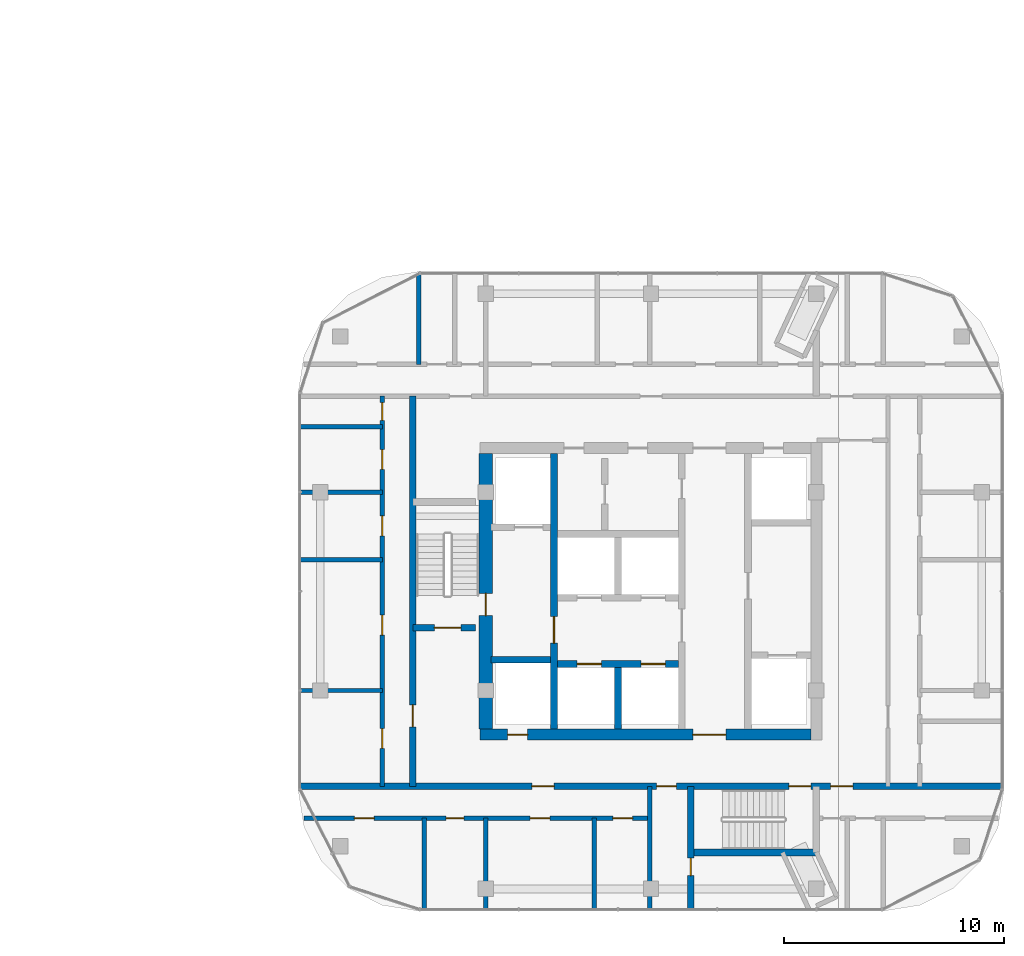
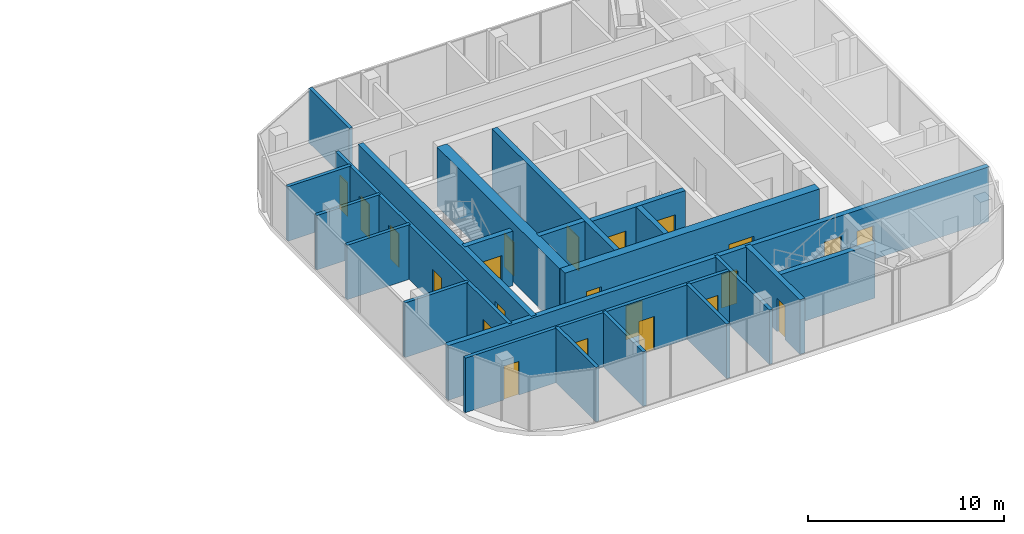
# One storey, part 24 of 35: 22 doors, 22 walls, 22 openings.
"""IFC4 building model written with IfcOpenShell, lengths in metres."""

from ifc_helpers import new_model, si_unit, direction, frame, frame_2d, origin, place, context, subcontext, project, spatial, rectangle, extrude, material, layer, layer_set, type_object, element, fill, save


model = new_model("IFC4")

# Units and contexts
model_context = context("Model", 3, precision=1e-05, world=origin(), true_north=direction((0.0, 1.0)))
body_context = subcontext(model_context, "Body", "Model", "MODEL_VIEW")
ifc_project = project(units=[si_unit("LENGTHUNIT", "METRE"), si_unit("AREAUNIT", "SQUARE_METRE"), si_unit("VOLUMEUNIT", "CUBIC_METRE"), si_unit("PLANEANGLEUNIT", "RADIAN"), si_unit("MASSUNIT", "GRAM", prefix="KILO")], contexts=[model_context])

# Site, building, storey
site_placement = place(None, origin())
site = spatial("IfcSite", under=ifc_project, at=site_placement, CompositionType="ELEMENT")
building_placement = place(site_placement, origin())
building = spatial("IfcBuilding", under=site, at=building_placement, Name="Ogive Portal Towers", CompositionType="ELEMENT")
storey_placement = place(building_placement, frame((0.0, 0.0, 90.800048828125)))
storey = spatial("IfcBuildingStorey", under=building, at=storey_placement, Name="L21", CompositionType="ELEMENT", Elevation=90.800048828125)

# Wall, opening, door
ifc_material_1 = material(Name="Concrete C60/75", Category="concrete")
ifc_layer_1 = layer(ifc_material_1, 0.300048828125)
ifc_layer_set_1 = layer_set([ifc_layer_1], Name="CORE WALL 300 C60")
wall_type_1 = type_object("IfcWallType", Name="CORE WALL 300 C60", PredefinedType="SHEAR", material=ifc_layer_set_1)
wall_1_placement = place(storey_placement, frame((132.10009765625, 24.75, 0.0), z_axis=(0.0, 0.0, 1.0), x_axis=(0.0, 1.0, 0.0)))
wall_1 = element("IfcWall", 1, at=wall_1_placement, inside=storey, type_object=wall_type_1, Name="Tower B core wall BX1 L21", PredefinedType="SHEAR", context=body_context, shape_type="SweptSolid", body=[
    extrude(rectangle(XDim=12.5, YDim=0.300048828125, at=frame_2d((6.25, 0.0))), origin(), (0.0, 0.0, 1.0), 3.699951171875),
])
opening_1_placement = place(wall_1_placement, frame((3.89990234375, 0.0, 0.0)))
opening_1 = element("IfcOpeningElement", 2, at=opening_1_placement, cuts=wall_1, Name="Opening B07-042", PredefinedType="OPENING", context=body_context, shape_type="SweptSolid", body=[
    extrude(rectangle(XDim=1.199951171875, YDim=2.10009765625, at=frame_2d((0.60009765625, 1.050048828125))), frame((0.0, 0.16015625, 0.0), z_axis=(0.0, -1.0, 0.0), x_axis=(1.0, 0.0, 0.0)), (0.0, 0.0, 1.0), 0.320068359375),
])
ifc_material_2 = material(Name="Steel fire door", Category="steel")
door_type_1 = type_object("IfcDoorType", Name="DT-SWING-1200x2100-FD90S", OperationType="SINGLE_SWING_LEFT", PredefinedType="DOOR", material=ifc_material_2)
door_1_placement = place(opening_1_placement, origin())
door_1 = element("IfcDoor", 3, at=door_1_placement, inside=storey, type_object=door_type_1, Name="Door B07-042", OperationType="SINGLE_SWING_LEFT", OverallHeight=2.10009765625, OverallWidth=1.199951171875, PredefinedType="DOOR", context=body_context, shape_type="SweptSolid", body=[
    extrude(rectangle(XDim=1.199951171875, YDim=2.10009765625, at=frame_2d((0.60009765625, 1.050048828125))), frame((0.0, 0.02490234375, 0.0), z_axis=(0.0, -1.0, 0.0), x_axis=(1.0, 0.0, 0.0)), (0.0, 0.0, 1.0), 0.050048828125),
])
fill(opening_1, door_1)

# Wall
wall_2_placement = place(storey_placement, frame((135.0, 24.75, 0.0), z_axis=(0.0, 0.0, 1.0), x_axis=(0.0, 1.0, 0.0)))
element("IfcWall", 4, at=wall_2_placement, inside=storey, type_object=wall_type_1, Name="Tower B core wall BX4 L21", PredefinedType="SHEAR", context=body_context, shape_type="SweptSolid", body=[
    extrude(rectangle(XDim=2.800048828125, YDim=0.300048828125, at=frame_2d((1.39990234375, 0.0))), origin(), (0.0, 0.0, 1.0), 3.699951171875),
])

# Wall, openings, doors
wall_3_placement = place(storey_placement, frame((132.25, 27.699951171875, 0.0), z_axis=(0.0, 0.0, 1.0), x_axis=(1.0, 0.0, 0.0)))
wall_3 = element("IfcWall", 5, at=wall_3_placement, inside=storey, type_object=wall_type_1, Name="Tower B core wall BY1 L21", PredefinedType="SHEAR", context=body_context, shape_type="SweptSolid", body=[
    extrude(rectangle(XDim=5.5, YDim=0.300048828125, at=frame_2d((2.75, 0.0))), origin(), (0.0, 0.0, 1.0), 3.699951171875),
])
opening_2_placement = place(wall_3_placement, frame((0.89990234375, 0.0, 0.0)))
opening_2 = element("IfcOpeningElement", 6, at=opening_2_placement, cuts=wall_3, Name="Opening B07-049", PredefinedType="OPENING", context=body_context, shape_type="SweptSolid", body=[
    extrude(rectangle(XDim=1.10009765625, YDim=2.39990234375, at=frame_2d((0.550048828125, 1.199951171875))), frame((0.0, 0.16015625, 0.0), z_axis=(0.0, -1.0, 0.0), x_axis=(1.0, 0.0, 0.0)), (0.0, 0.0, 1.0), 0.320068359375),
])
opening_3_placement = place(wall_3_placement, frame((3.800048828125, 0.0, 0.0)))
opening_3 = element("IfcOpeningElement", 7, at=opening_3_placement, cuts=wall_3, Name="Opening B07-050", PredefinedType="OPENING", context=body_context, shape_type="SweptSolid", body=[
    extrude(rectangle(XDim=1.10009765625, YDim=2.39990234375, at=frame_2d((0.550048828125, 1.199951171875))), frame((0.0, 0.16015625, 0.0), z_axis=(0.0, -1.0, 0.0), x_axis=(1.0, 0.0, 0.0)), (0.0, 0.0, 1.0), 0.320068359375),
])
ifc_material_3 = material(Name="Stainless steel", Category="steel")
door_type_2 = type_object("IfcDoorType", Name="DT-LD-1100x2400", OperationType="SLIDING_TO_LEFT", PredefinedType="DOOR", material=ifc_material_3)
door_2_placement = place(opening_2_placement, origin())
door_2 = element("IfcDoor", 8, at=door_2_placement, inside=storey, type_object=door_type_2, Name="Door B07-049", OperationType="SLIDING_TO_LEFT", OverallHeight=2.39990234375, OverallWidth=1.10009765625, PredefinedType="DOOR", context=body_context, shape_type="SweptSolid", body=[
    extrude(rectangle(XDim=1.10009765625, YDim=2.39990234375, at=frame_2d((0.550048828125, 1.199951171875))), frame((0.0, 0.02490234375, 0.0), z_axis=(0.0, -1.0, 0.0), x_axis=(1.0, 0.0, 0.0)), (0.0, 0.0, 1.0), 0.050048828125),
])
fill(opening_2, door_2)
door_3_placement = place(opening_3_placement, origin())
door_3 = element("IfcDoor", 9, at=door_3_placement, inside=storey, type_object=door_type_2, Name="Door B07-050", OperationType="SLIDING_TO_LEFT", OverallHeight=2.39990234375, OverallWidth=1.10009765625, PredefinedType="DOOR", context=body_context, shape_type="SweptSolid", body=[
    extrude(rectangle(XDim=1.10009765625, YDim=2.39990234375, at=frame_2d((0.550048828125, 1.199951171875))), frame((0.0, 0.02490234375, 0.0), z_axis=(0.0, -1.0, 0.0), x_axis=(1.0, 0.0, 0.0)), (0.0, 0.0, 1.0), 0.050048828125),
])
fill(opening_3, door_3)

# Wall
wall_4_placement = place(storey_placement, frame((129.25, 27.89990234375, 0.0), z_axis=(0.0, 0.0, 1.0), x_axis=(1.0, 0.0, 0.0)))
element("IfcWall", 10, at=wall_4_placement, inside=storey, type_object=wall_type_1, Name="Tower B core wall BY4 L21", PredefinedType="SHEAR", context=body_context, shape_type="SweptSolid", body=[
    extrude(rectangle(XDim=2.699951171875, YDim=0.300048828125, at=frame_2d((1.35009765625, 0.0))), origin(), (0.0, 0.0, 1.0), 3.699951171875),
])

# Wall, openings, doors
ifc_layer_2 = layer(ifc_material_1, 0.5)
ifc_layer_set_2 = layer_set([ifc_layer_2], Name="CORE WALL 500 C60")
wall_type_2 = type_object("IfcWallType", Name="CORE WALL 500 C60", PredefinedType="SHEAR", material=ifc_layer_set_2)
wall_5_placement = place(storey_placement, frame((128.75, 24.5, 0.0), z_axis=(0.0, 0.0, 1.0), x_axis=(1.0, 0.0, 0.0)))
wall_5 = element("IfcWall", 11, at=wall_5_placement, inside=storey, type_object=wall_type_2, Name="Tower B core wall BS L21", PredefinedType="SHEAR", context=body_context, shape_type="SweptSolid", body=[
    extrude(rectangle(XDim=15.0, YDim=0.5, at=frame_2d((7.5, 0.0))), origin(), (0.0, 0.0, 1.0), 3.699951171875),
])
opening_4_placement = place(wall_5_placement, frame((9.64990234375, 0.0, 0.0)))
opening_4 = element("IfcOpeningElement", 12, at=opening_4_placement, cuts=wall_5, Name="Opening B07-045", PredefinedType="OPENING", context=body_context, shape_type="SweptSolid", body=[
    extrude(rectangle(XDim=1.5, YDim=2.10009765625, at=frame_2d((0.75, 1.050048828125))), frame((0.0, 0.260009765625, 0.0), z_axis=(0.0, -1.0, 0.0), x_axis=(1.0, 0.0, 0.0)), (0.0, 0.0, 1.0), 0.52001953125),
])
opening_5_placement = place(wall_5_placement, frame((1.25, 0.0, 0.0)))
opening_5 = element("IfcOpeningElement", 13, at=opening_5_placement, cuts=wall_5, Name="Opening B07-047", PredefinedType="OPENING", context=body_context, shape_type="SweptSolid", body=[
    extrude(rectangle(XDim=0.89990234375, YDim=2.10009765625, at=frame_2d((0.449951171875, 1.050048828125))), frame((0.0, 0.260009765625, 0.0), z_axis=(0.0, -1.0, 0.0), x_axis=(1.0, 0.0, 0.0)), (0.0, 0.0, 1.0), 0.52001953125),
])
door_type_3 = type_object("IfcDoorType", Name="DT-SWING-1500x2100-FD90S", OperationType="SINGLE_SWING_LEFT", PredefinedType="DOOR", material=ifc_material_2)
door_4_placement = place(opening_4_placement, origin())
door_4 = element("IfcDoor", 14, at=door_4_placement, inside=storey, type_object=door_type_3, Name="Door B07-045", OperationType="SINGLE_SWING_LEFT", OverallHeight=2.10009765625, OverallWidth=1.5, PredefinedType="DOOR", context=body_context, shape_type="SweptSolid", body=[
    extrude(rectangle(XDim=1.5, YDim=2.10009765625, at=frame_2d((0.75, 1.050048828125))), frame((0.0, 0.02490234375, 0.0), z_axis=(0.0, -1.0, 0.0), x_axis=(1.0, 0.0, 0.0)), (0.0, 0.0, 1.0), 0.050048828125),
])
fill(opening_4, door_4)
door_type_4 = type_object("IfcDoorType", Name="DT-SWING-900x2100-FD90S", OperationType="SINGLE_SWING_LEFT", PredefinedType="DOOR", material=ifc_material_2)
door_5_placement = place(opening_5_placement, origin())
door_5 = element("IfcDoor", 15, at=door_5_placement, inside=storey, type_object=door_type_4, Name="Riser access door B07-047", OperationType="SINGLE_SWING_LEFT", OverallHeight=2.10009765625, OverallWidth=0.89990234375, PredefinedType="DOOR", context=body_context, shape_type="SweptSolid", body=[
    extrude(rectangle(XDim=0.89990234375, YDim=2.10009765625, at=frame_2d((0.449951171875, 1.050048828125))), frame((0.0, 0.02490234375, 0.0), z_axis=(0.0, -1.0, 0.0), x_axis=(1.0, 0.0, 0.0)), (0.0, 0.0, 1.0), 0.050048828125),
])
fill(opening_5, door_5)

# Wall, opening, door
ifc_layer_3 = layer(ifc_material_1, 0.60009765625)
ifc_layer_set_3 = layer_set([ifc_layer_3], Name="CORE WALL 600 C60")
wall_type_3 = type_object("IfcWallType", Name="CORE WALL 600 C60", PredefinedType="SHEAR", material=ifc_layer_set_3)
wall_6_placement = place(storey_placement, frame((129.0, 24.75, 0.0), z_axis=(0.0, 0.0, 1.0), x_axis=(0.0, 1.0, 0.0)))
wall_6 = element("IfcWall", 16, at=wall_6_placement, inside=storey, type_object=wall_type_3, Name="Tower B core wall BW L21", PredefinedType="SHEAR", context=body_context, shape_type="SweptSolid", body=[
    extrude(rectangle(XDim=12.5, YDim=0.60009765625, at=frame_2d((6.25, 0.0))), origin(), (0.0, 0.0, 1.0), 3.699951171875),
])
opening_6_placement = place(wall_6_placement, frame((5.14990234375, 0.0, 0.0)))
opening_6 = element("IfcOpeningElement", 17, at=opening_6_placement, cuts=wall_6, Name="Opening B07-044", PredefinedType="OPENING", context=body_context, shape_type="SweptSolid", body=[
    extrude(rectangle(XDim=1.0, YDim=2.10009765625, at=frame_2d((0.5, 1.050048828125))), frame((0.0, 0.31005859375, 0.0), z_axis=(0.0, -1.0, 0.0), x_axis=(1.0, 0.0, 0.0)), (0.0, 0.0, 1.0), 0.6201171875),
])
door_type_5 = type_object("IfcDoorType", Name="DT-SWING-1000x2100-FD90S", OperationType="SINGLE_SWING_LEFT", PredefinedType="DOOR", material=ifc_material_2)
door_6_placement = place(opening_6_placement, origin())
door_6 = element("IfcDoor", 18, at=door_6_placement, inside=storey, type_object=door_type_5, Name="Door B07-044", OperationType="SINGLE_SWING_RIGHT", OverallHeight=2.10009765625, OverallWidth=1.0, PredefinedType="DOOR", context=body_context, shape_type="SweptSolid", body=[
    extrude(rectangle(XDim=1.0, YDim=2.10009765625, at=frame_2d((0.5, 1.050048828125))), frame((0.0, 0.02490234375, 0.0), z_axis=(0.0, -1.0, 0.0), x_axis=(1.0, 0.0, 0.0)), (0.0, 0.0, 1.0), 0.050048828125),
])
fill(opening_6, door_6)

# Wall
ifc_material_4 = material(Name="Concrete C50/60", Category="concrete")
ifc_layer_4 = layer(ifc_material_4, 0.300048828125)
ifc_layer_set_4 = layer_set([ifc_layer_4], Name="STAIR WALL 300 C50")
wall_type_4 = type_object("IfcWallType", Name="STAIR WALL 300 C50", PredefinedType="SHEAR", material=ifc_layer_set_4)
wall_7_placement = place(storey_placement, frame((138.25, 19.14990234375, 0.0), z_axis=(0.0, 0.0, 1.0), x_axis=(1.0, 0.0, 0.0)))
element("IfcWall", 19, at=wall_7_placement, inside=storey, type_object=wall_type_4, Name="Stair wall ST-B2 L21", PredefinedType="SHEAR", context=body_context, shape_type="SweptSolid", body=[
    extrude(rectangle(XDim=5.75, YDim=0.300048828125, at=frame_2d((2.875, 0.0))), origin(), (0.0, 0.0, 1.0), 3.39990234375),
])

# Wall, openings, doors
wall_8_placement = place(storey_placement, frame((120.56005859375, 22.14990234375, 0.0), z_axis=(0.0, 0.0, 1.0), x_axis=(1.0, 0.0, 0.0)))
wall_8 = element("IfcWall", 20, at=wall_8_placement, inside=storey, type_object=wall_type_4, Name="Stair wall ST-B2 L21", PredefinedType="SHEAR", context=body_context, shape_type="SweptSolid", body=[
    extrude(rectangle(XDim=31.8798828125, YDim=0.300048828125, at=frame_2d((15.93994140625, 0.0))), origin(), (0.0, 0.0, 1.0), 3.39990234375),
])
opening_7_placement = place(wall_8_placement, frame((22.18994140625, 0.0, 0.0)))
opening_7 = element("IfcOpeningElement", 21, at=opening_7_placement, cuts=wall_8, Name="Opening B07-003", PredefinedType="OPENING", context=body_context, shape_type="SweptSolid", body=[
    extrude(rectangle(XDim=1.0, YDim=2.10009765625, at=frame_2d((0.5, 1.050048828125))), frame((0.0, 0.16015625, 0.0), z_axis=(0.0, -1.0, 0.0), x_axis=(1.0, 0.0, 0.0)), (0.0, 0.0, 1.0), 0.320068359375),
])
opening_8_placement = place(wall_8_placement, frame((10.5400390625, 0.0, 0.0)))
opening_8 = element("IfcOpeningElement", 22, at=opening_8_placement, cuts=wall_8, Name="Opening B07-018", PredefinedType="OPENING", context=body_context, shape_type="SweptSolid", body=[
    extrude(rectangle(XDim=1.0, YDim=2.10009765625, at=frame_2d((0.5, 1.050048828125))), frame((0.0, 0.16015625, 0.0), z_axis=(0.0, -1.0, 0.0), x_axis=(1.0, 0.0, 0.0)), (0.0, 0.0, 1.0), 0.320068359375),
])
opening_9_placement = place(wall_8_placement, frame((24.090087890625, 0.0, 0.0)))
opening_9 = element("IfcOpeningElement", 23, at=opening_9_placement, cuts=wall_8, Name="Opening B07-023", PredefinedType="OPENING", context=body_context, shape_type="SweptSolid", body=[
    extrude(rectangle(XDim=1.0, YDim=2.10009765625, at=frame_2d((0.5, 1.050048828125))), frame((0.0, 0.16015625, 0.0), z_axis=(0.0, -1.0, 0.0), x_axis=(1.0, 0.0, 0.0)), (0.0, 0.0, 1.0), 0.320068359375),
])
opening_10_placement = place(wall_8_placement, frame((16.18994140625, 0.0, 0.0)))
opening_10 = element("IfcOpeningElement", 24, at=opening_10_placement, cuts=wall_8, Name="Opening B07-027", PredefinedType="OPENING", context=body_context, shape_type="SweptSolid", body=[
    extrude(rectangle(XDim=0.89990234375, YDim=2.10009765625, at=frame_2d((0.449951171875, 1.050048828125))), frame((0.0, 0.16015625, 0.0), z_axis=(0.0, -1.0, 0.0), x_axis=(1.0, 0.0, 0.0)), (0.0, 0.0, 1.0), 0.320068359375),
])
door_7_placement = place(opening_7_placement, origin())
door_7 = element("IfcDoor", 25, at=door_7_placement, inside=storey, type_object=door_type_5, Name="Door B07-003", OperationType="SINGLE_SWING_LEFT", OverallHeight=2.10009765625, OverallWidth=1.0, PredefinedType="DOOR", context=body_context, shape_type="SweptSolid", body=[
    extrude(rectangle(XDim=1.0, YDim=2.10009765625, at=frame_2d((0.5, 1.050048828125))), frame((0.0, 0.02490234375, 0.0), z_axis=(0.0, -1.0, 0.0), x_axis=(1.0, 0.0, 0.0)), (0.0, 0.0, 1.0), 0.050048828125),
])
fill(opening_7, door_7)
door_8_placement = place(opening_8_placement, origin())
door_8 = element("IfcDoor", 26, at=door_8_placement, inside=storey, type_object=door_type_5, Name="Door B07-018", OperationType="SINGLE_SWING_RIGHT", OverallHeight=2.10009765625, OverallWidth=1.0, PredefinedType="DOOR", context=body_context, shape_type="SweptSolid", body=[
    extrude(rectangle(XDim=1.0, YDim=2.10009765625, at=frame_2d((0.5, 1.050048828125))), frame((0.0, 0.02490234375, 0.0), z_axis=(0.0, -1.0, 0.0), x_axis=(1.0, 0.0, 0.0)), (0.0, 0.0, 1.0), 0.050048828125),
])
fill(opening_8, door_8)
door_9_placement = place(opening_9_placement, origin())
door_9 = element("IfcDoor", 27, at=door_9_placement, inside=storey, type_object=door_type_5, Name="Door B07-023", OperationType="SINGLE_SWING_LEFT", OverallHeight=2.10009765625, OverallWidth=1.0, PredefinedType="DOOR", context=body_context, shape_type="SweptSolid", body=[
    extrude(rectangle(XDim=1.0, YDim=2.10009765625, at=frame_2d((0.5, 1.050048828125))), frame((0.0, 0.02490234375, 0.0), z_axis=(0.0, -1.0, 0.0), x_axis=(1.0, 0.0, 0.0)), (0.0, 0.0, 1.0), 0.050048828125),
])
fill(opening_9, door_9)
door_10_placement = place(opening_10_placement, origin())
door_10 = element("IfcDoor", 28, at=door_10_placement, inside=storey, type_object=door_type_4, Name="Door B07-027", OperationType="SINGLE_SWING_LEFT", OverallHeight=2.10009765625, OverallWidth=0.89990234375, PredefinedType="DOOR", context=body_context, shape_type="SweptSolid", body=[
    extrude(rectangle(XDim=0.89990234375, YDim=2.10009765625, at=frame_2d((0.449951171875, 1.050048828125))), frame((0.0, 0.02490234375, 0.0), z_axis=(0.0, -1.0, 0.0), x_axis=(1.0, 0.0, 0.0)), (0.0, 0.0, 1.0), 0.050048828125),
])
fill(opening_10, door_10)

# Wall, opening, door
wall_9_placement = place(storey_placement, frame((125.699951171875, 29.35009765625, 0.0), z_axis=(0.0, 0.0, 1.0), x_axis=(1.0, 0.0, 0.0)))
wall_9 = element("IfcWall", 29, at=wall_9_placement, inside=storey, type_object=wall_type_4, Name="Stair wall ST-B1 L21", PredefinedType="SHEAR", context=body_context, shape_type="SweptSolid", body=[
    extrude(rectangle(XDim=2.830078125, YDim=0.300048828125, at=frame_2d((1.4150390625, 0.0))), origin(), (0.0, 0.0, 1.0), 3.39990234375),
])
opening_11_placement = place(wall_9_placement, frame((0.97509765625, 0.0, 0.0)))
opening_11 = element("IfcOpeningElement", 30, at=opening_11_placement, cuts=wall_9, Name="Opening B07-002", PredefinedType="OPENING", context=body_context, shape_type="SweptSolid", body=[
    extrude(rectangle(XDim=1.199951171875, YDim=2.10009765625, at=frame_2d((0.60009765625, 1.050048828125))), frame((0.0, 0.16015625, 0.0), z_axis=(0.0, -1.0, 0.0), x_axis=(1.0, 0.0, 0.0)), (0.0, 0.0, 1.0), 0.320068359375),
])
door_11_placement = place(opening_11_placement, origin())
door_11 = element("IfcDoor", 31, at=door_11_placement, inside=storey, type_object=door_type_1, Name="Door B07-002", OperationType="SINGLE_SWING_RIGHT", OverallHeight=2.10009765625, OverallWidth=1.199951171875, PredefinedType="DOOR", context=body_context, shape_type="SweptSolid", body=[
    extrude(rectangle(XDim=1.199951171875, YDim=2.10009765625, at=frame_2d((0.60009765625, 1.050048828125))), frame((0.0, 0.02490234375, 0.0), z_axis=(0.0, -1.0, 0.0), x_axis=(1.0, 0.0, 0.0)), (0.0, 0.0, 1.0), 0.050048828125),
])
fill(opening_11, door_11)

wall_10_placement = place(storey_placement, frame((125.699951171875, 22.14990234375, 0.0), z_axis=(0.0, 0.0, 1.0), x_axis=(0.0, 1.0, 0.0)))
wall_10 = element("IfcWall", 32, at=wall_10_placement, inside=storey, type_object=wall_type_4, Name="Stair wall ST-B1 L21", PredefinedType="SHEAR", context=body_context, shape_type="SweptSolid", body=[
    extrude(rectangle(XDim=17.7001953125, YDim=0.300048828125, at=frame_2d((8.85009765625, 0.0))), origin(), (0.0, 0.0, 1.0), 3.39990234375),
])
opening_12_placement = place(wall_10_placement, frame((2.699951171875, 0.0, 0.0)))
opening_12 = element("IfcOpeningElement", 33, at=opening_12_placement, cuts=wall_10, Name="Opening B07-029", PredefinedType="OPENING", context=body_context, shape_type="SweptSolid", body=[
    extrude(rectangle(XDim=1.0, YDim=2.10009765625, at=frame_2d((0.5, 1.050048828125))), frame((0.0, 0.16015625, 0.0), z_axis=(0.0, -1.0, 0.0), x_axis=(1.0, 0.0, 0.0)), (0.0, 0.0, 1.0), 0.320068359375),
])
door_12_placement = place(opening_12_placement, origin())
door_12 = element("IfcDoor", 34, at=door_12_placement, inside=storey, type_object=door_type_5, Name="Door B07-029", OperationType="SINGLE_SWING_LEFT", OverallHeight=2.10009765625, OverallWidth=1.0, PredefinedType="DOOR", context=body_context, shape_type="SweptSolid", body=[
    extrude(rectangle(XDim=1.0, YDim=2.10009765625, at=frame_2d((0.5, 1.050048828125))), frame((0.0, 0.02490234375, 0.0), z_axis=(0.0, -1.0, 0.0), x_axis=(1.0, 0.0, 0.0)), (0.0, 0.0, 1.0), 0.050048828125),
])
fill(opening_12, door_12)

wall_11_placement = place(storey_placement, frame((138.300048828125, 16.56005859375, 0.0), z_axis=(0.0, 0.0, 1.0), x_axis=(0.0, 1.0, 0.0)))
wall_11 = element("IfcWall", 35, at=wall_11_placement, inside=storey, type_object=wall_type_4, Name="Stair wall ST-B2 L21", PredefinedType="SHEAR", context=body_context, shape_type="SweptSolid", body=[
    extrude(rectangle(XDim=5.58984375, YDim=0.300048828125, at=frame_2d((2.794921875, 0.0))), origin(), (0.0, 0.0, 1.0), 3.39990234375),
])
opening_13_placement = place(wall_11_placement, frame((1.5400390625, 0.0, 0.0)))
opening_13 = element("IfcOpeningElement", 36, at=opening_13_placement, cuts=wall_11, Name="Opening B07-028", PredefinedType="OPENING", context=body_context, shape_type="SweptSolid", body=[
    extrude(rectangle(XDim=0.800048828125, YDim=2.10009765625, at=frame_2d((0.39990234375, 1.050048828125))), frame((0.0, 0.16015625, 0.0), z_axis=(0.0, -1.0, 0.0), x_axis=(1.0, 0.0, 0.0)), (0.0, 0.0, 1.0), 0.320068359375),
])
door_type_6 = type_object("IfcDoorType", Name="DT-SWING-800x2100-FD90S", OperationType="SINGLE_SWING_LEFT", PredefinedType="DOOR", material=ifc_material_2)
door_13_placement = place(opening_13_placement, origin())
door_13 = element("IfcDoor", 37, at=door_13_placement, inside=storey, type_object=door_type_6, Name="Door B07-028", OperationType="SINGLE_SWING_RIGHT", OverallHeight=2.10009765625, OverallWidth=0.800048828125, PredefinedType="DOOR", context=body_context, shape_type="SweptSolid", body=[
    extrude(rectangle(XDim=0.800048828125, YDim=2.10009765625, at=frame_2d((0.39990234375, 1.050048828125))), frame((0.0, 0.02490234375, 0.0), z_axis=(0.0, -1.0, 0.0), x_axis=(1.0, 0.0, 0.0)), (0.0, 0.0, 1.0), 0.050048828125),
])
fill(opening_13, door_13)

# Wall, openings, doors
ifc_material_5 = material(Name="Gypsum board partition on steel studs", Category="steel")
ifc_layer_5 = layer(ifc_material_5, 0.199951171875)
ifc_layer_set_5 = layer_set([ifc_layer_5], Name="WT-PART-200-EI 60")
wall_type_5 = type_object("IfcWallType", Name="WT-PART-200-EI 60", PredefinedType="PARTITIONING", material=ifc_layer_set_5)
wall_12_placement = place(storey_placement, frame((120.764892578125, 20.7099609375, 0.0), z_axis=(0.0, 0.0, 1.0), x_axis=(1.0, 0.0, 0.0)))
wall_12 = element("IfcWall", 38, at=wall_12_placement, inside=storey, type_object=wall_type_5, Name="Wall L21:w013", PredefinedType="PARTITIONING", context=body_context, shape_type="SweptSolid", body=[
    extrude(rectangle(XDim=15.735107421875, YDim=0.199951171875, at=frame_2d((7.86767578125, 0.0))), origin(), (0.0, 0.0, 1.0), 3.39990234375),
])
opening_14_placement = place(wall_12_placement, frame((2.27587890625, 0.0, 0.0)))
opening_14 = element("IfcOpeningElement", 39, at=opening_14_placement, cuts=wall_12, Name="Opening B07-019", PredefinedType="OPENING", context=body_context, shape_type="SweptSolid", body=[
    extrude(rectangle(XDim=0.89990234375, YDim=2.10009765625, at=frame_2d((0.449951171875, 1.050048828125))), frame((0.0, 0.10986328125, 0.0), z_axis=(0.0, -1.0, 0.0), x_axis=(1.0, 0.0, 0.0)), (0.0, 0.0, 1.0), 0.219970703125),
])
opening_15_placement = place(wall_12_placement, frame((6.445068359375, 0.0, 0.0)))
opening_15 = element("IfcOpeningElement", 40, at=opening_15_placement, cuts=wall_12, Name="Opening B07-020", PredefinedType="OPENING", context=body_context, shape_type="SweptSolid", body=[
    extrude(rectangle(XDim=0.800048828125, YDim=2.10009765625, at=frame_2d((0.39990234375, 1.050048828125))), frame((0.0, 0.10986328125, 0.0), z_axis=(0.0, -1.0, 0.0), x_axis=(1.0, 0.0, 0.0)), (0.0, 0.0, 1.0), 0.219970703125),
])
opening_16_placement = place(wall_12_placement, frame((10.251953125, 0.0, 0.0)))
opening_16 = element("IfcOpeningElement", 41, at=opening_16_placement, cuts=wall_12, Name="Opening B07-021", PredefinedType="OPENING", context=body_context, shape_type="SweptSolid", body=[
    extrude(rectangle(XDim=0.89990234375, YDim=2.10009765625, at=frame_2d((0.449951171875, 1.050048828125))), frame((0.0, 0.10986328125, 0.0), z_axis=(0.0, -1.0, 0.0), x_axis=(1.0, 0.0, 0.0)), (0.0, 0.0, 1.0), 0.219970703125),
])
opening_17_placement = place(wall_12_placement, frame((14.001953125, 0.0, 0.0)))
opening_17 = element("IfcOpeningElement", 42, at=opening_17_placement, cuts=wall_12, Name="Opening B07-022", PredefinedType="OPENING", context=body_context, shape_type="SweptSolid", body=[
    extrude(rectangle(XDim=0.89990234375, YDim=2.10009765625, at=frame_2d((0.449951171875, 1.050048828125))), frame((0.0, 0.10986328125, 0.0), z_axis=(0.0, -1.0, 0.0), x_axis=(1.0, 0.0, 0.0)), (0.0, 0.0, 1.0), 0.219970703125),
])
door_type_7 = type_object("IfcDoorType", Name="DT-SWING-800x2100-FD60S", OperationType="SINGLE_SWING_LEFT", PredefinedType="DOOR", material=ifc_material_2)
door_14_placement = place(opening_15_placement, origin())
door_14 = element("IfcDoor", 43, at=door_14_placement, inside=storey, type_object=door_type_7, Name="Door B07-020", OperationType="SINGLE_SWING_RIGHT", OverallHeight=2.10009765625, OverallWidth=0.800048828125, PredefinedType="DOOR", context=body_context, shape_type="SweptSolid", body=[
    extrude(rectangle(XDim=0.800048828125, YDim=2.10009765625, at=frame_2d((0.39990234375, 1.050048828125))), frame((0.0, 0.02490234375, 0.0), z_axis=(0.0, -1.0, 0.0), x_axis=(1.0, 0.0, 0.0)), (0.0, 0.0, 1.0), 0.050048828125),
])
fill(opening_15, door_14)
door_type_8 = type_object("IfcDoorType", Name="DT-SWING-900x2100-FD60S", OperationType="SINGLE_SWING_LEFT", PredefinedType="DOOR", material=ifc_material_2)
door_15_placement = place(opening_14_placement, origin())
door_15 = element("IfcDoor", 44, at=door_15_placement, inside=storey, type_object=door_type_8, Name="Door B07-019", OperationType="SINGLE_SWING_LEFT", OverallHeight=2.10009765625, OverallWidth=0.89990234375, PredefinedType="DOOR", context=body_context, shape_type="SweptSolid", body=[
    extrude(rectangle(XDim=0.89990234375, YDim=2.10009765625, at=frame_2d((0.449951171875, 1.050048828125))), frame((0.0, 0.02490234375, 0.0), z_axis=(0.0, -1.0, 0.0), x_axis=(1.0, 0.0, 0.0)), (0.0, 0.0, 1.0), 0.050048828125),
])
fill(opening_14, door_15)
door_16_placement = place(opening_16_placement, origin())
door_16 = element("IfcDoor", 45, at=door_16_placement, inside=storey, type_object=door_type_8, Name="Door B07-021", OperationType="SINGLE_SWING_LEFT", OverallHeight=2.10009765625, OverallWidth=0.89990234375, PredefinedType="DOOR", context=body_context, shape_type="SweptSolid", body=[
    extrude(rectangle(XDim=0.89990234375, YDim=2.10009765625, at=frame_2d((0.449951171875, 1.050048828125))), frame((0.0, 0.02490234375, 0.0), z_axis=(0.0, -1.0, 0.0), x_axis=(1.0, 0.0, 0.0)), (0.0, 0.0, 1.0), 0.050048828125),
])
fill(opening_16, door_16)
door_17_placement = place(opening_17_placement, origin())
door_17 = element("IfcDoor", 46, at=door_17_placement, inside=storey, type_object=door_type_8, Name="Door B07-022", OperationType="SINGLE_SWING_RIGHT", OverallHeight=2.10009765625, OverallWidth=0.89990234375, PredefinedType="DOOR", context=body_context, shape_type="SweptSolid", body=[
    extrude(rectangle(XDim=0.89990234375, YDim=2.10009765625, at=frame_2d((0.449951171875, 1.050048828125))), frame((0.0, 0.02490234375, 0.0), z_axis=(0.0, -1.0, 0.0), x_axis=(1.0, 0.0, 0.0)), (0.0, 0.0, 1.0), 0.050048828125),
])
fill(opening_17, door_17)

# Walls
for number, where, z_axis, x_axis, name in (
    (47, (120.56005859375, 26.5, 0.0), (0.0, 0.0, 1.0), (1.0, 0.0, 0.0), "Wall L21:w019"),
    (48, (120.56005859375, 32.43310546875, 0.0), (0.0, 0.0, 1.0), (1.0, 0.0, 0.0), "Wall L21:w022"),
    (49, (120.56005859375, 35.5, 0.0), (0.0, 0.0, 1.0), (1.0, 0.0, 0.0), "Wall L21:w025"),
    (50, (120.56005859375, 38.4560546875, 0.0), (0.0, 0.0, 1.0), (1.0, 0.0, 0.0), "Wall L21:w029"),
):
    element("IfcWall", number, at=place(storey_placement, frame(where, z_axis=z_axis, x_axis=x_axis)), inside=storey, type_object=wall_type_5, Name=name, PredefinedType="PARTITIONING", context=body_context, shape_type="SweptSolid", body=[
        extrude(rectangle(XDim=3.75, YDim=0.199951171875, at=frame_2d((1.875, 0.0))), origin(), (0.0, 0.0, 1.0), 3.39990234375),
    ])

# Wall, openings, doors
wall_13_placement = place(storey_placement, frame((124.31005859375, 22.14990234375, 0.0), z_axis=(0.0, 0.0, 1.0), x_axis=(0.0, 1.0, 0.0)))
wall_13 = element("IfcWall", 51, at=wall_13_placement, inside=storey, type_object=wall_type_5, Name="Wall L21:w032", PredefinedType="PARTITIONING", context=body_context, shape_type="SweptSolid", body=[
    extrude(rectangle(XDim=17.7001953125, YDim=0.199951171875, at=frame_2d((8.85009765625, 0.0))), origin(), (0.0, 0.0, 1.0), 3.39990234375),
])
opening_18_placement = place(wall_13_placement, frame((1.72509765625, 0.0, 0.0)))
opening_18 = element("IfcOpeningElement", 52, at=opening_18_placement, cuts=wall_13, Name="Opening B07-030", PredefinedType="OPENING", context=body_context, shape_type="SweptSolid", body=[
    extrude(rectangle(XDim=0.89990234375, YDim=2.10009765625, at=frame_2d((0.449951171875, 1.050048828125))), frame((0.0, 0.10986328125, 0.0), z_axis=(0.0, -1.0, 0.0), x_axis=(1.0, 0.0, 0.0)), (0.0, 0.0, 1.0), 0.219970703125),
])
opening_19_placement = place(wall_13_placement, frame((6.866943359375, 0.0, 0.0)))
opening_19 = element("IfcOpeningElement", 53, at=opening_19_placement, cuts=wall_13, Name="Opening B07-031", PredefinedType="OPENING", context=body_context, shape_type="SweptSolid", body=[
    extrude(rectangle(XDim=0.89990234375, YDim=2.10009765625, at=frame_2d((0.449951171875, 1.050048828125))), frame((0.0, 0.10986328125, 0.0), z_axis=(0.0, -1.0, 0.0), x_axis=(1.0, 0.0, 0.0)), (0.0, 0.0, 1.0), 0.219970703125),
])
opening_20_placement = place(wall_13_placement, frame((11.366943359375, 0.0, 0.0)))
opening_20 = element("IfcOpeningElement", 54, at=opening_20_placement, cuts=wall_13, Name="Opening B07-032", PredefinedType="OPENING", context=body_context, shape_type="SweptSolid", body=[
    extrude(rectangle(XDim=0.89990234375, YDim=2.10009765625, at=frame_2d((0.449951171875, 1.050048828125))), frame((0.0, 0.10986328125, 0.0), z_axis=(0.0, -1.0, 0.0), x_axis=(1.0, 0.0, 0.0)), (0.0, 0.0, 1.0), 0.219970703125),
])
opening_21_placement = place(wall_13_placement, frame((14.3779296875, 0.0, 0.0)))
opening_21 = element("IfcOpeningElement", 55, at=opening_21_placement, cuts=wall_13, Name="Opening B07-033", PredefinedType="OPENING", context=body_context, shape_type="SweptSolid", body=[
    extrude(rectangle(XDim=0.89990234375, YDim=2.10009765625, at=frame_2d((0.449951171875, 1.050048828125))), frame((0.0, 0.10986328125, 0.0), z_axis=(0.0, -1.0, 0.0), x_axis=(1.0, 0.0, 0.0)), (0.0, 0.0, 1.0), 0.219970703125),
])
opening_22_placement = place(wall_13_placement, frame((16.60302734375, 0.0, 0.0)))
opening_22 = element("IfcOpeningElement", 56, at=opening_22_placement, cuts=wall_13, Name="Opening B07-034", PredefinedType="OPENING", context=body_context, shape_type="SweptSolid", body=[
    extrude(rectangle(XDim=0.800048828125, YDim=2.10009765625, at=frame_2d((0.39990234375, 1.050048828125))), frame((0.0, 0.10986328125, 0.0), z_axis=(0.0, -1.0, 0.0), x_axis=(1.0, 0.0, 0.0)), (0.0, 0.0, 1.0), 0.219970703125),
])
door_18_placement = place(opening_22_placement, origin())
door_18 = element("IfcDoor", 57, at=door_18_placement, inside=storey, type_object=door_type_7, Name="Door B07-034", OperationType="SINGLE_SWING_RIGHT", OverallHeight=2.10009765625, OverallWidth=0.800048828125, PredefinedType="DOOR", context=body_context, shape_type="SweptSolid", body=[
    extrude(rectangle(XDim=0.800048828125, YDim=2.10009765625, at=frame_2d((0.39990234375, 1.050048828125))), frame((0.0, 0.02490234375, 0.0), z_axis=(0.0, -1.0, 0.0), x_axis=(1.0, 0.0, 0.0)), (0.0, 0.0, 1.0), 0.050048828125),
])
fill(opening_22, door_18)
door_19_placement = place(opening_18_placement, origin())
door_19 = element("IfcDoor", 58, at=door_19_placement, inside=storey, type_object=door_type_8, Name="Door B07-030", OperationType="SINGLE_SWING_RIGHT", OverallHeight=2.10009765625, OverallWidth=0.89990234375, PredefinedType="DOOR", context=body_context, shape_type="SweptSolid", body=[
    extrude(rectangle(XDim=0.89990234375, YDim=2.10009765625, at=frame_2d((0.449951171875, 1.050048828125))), frame((0.0, 0.02490234375, 0.0), z_axis=(0.0, -1.0, 0.0), x_axis=(1.0, 0.0, 0.0)), (0.0, 0.0, 1.0), 0.050048828125),
])
fill(opening_18, door_19)
door_20_placement = place(opening_19_placement, origin())
door_20 = element("IfcDoor", 59, at=door_20_placement, inside=storey, type_object=door_type_8, Name="Door B07-031", OperationType="SINGLE_SWING_LEFT", OverallHeight=2.10009765625, OverallWidth=0.89990234375, PredefinedType="DOOR", context=body_context, shape_type="SweptSolid", body=[
    extrude(rectangle(XDim=0.89990234375, YDim=2.10009765625, at=frame_2d((0.449951171875, 1.050048828125))), frame((0.0, 0.02490234375, 0.0), z_axis=(0.0, -1.0, 0.0), x_axis=(1.0, 0.0, 0.0)), (0.0, 0.0, 1.0), 0.050048828125),
])
fill(opening_19, door_20)
door_21_placement = place(opening_20_placement, origin())
door_21 = element("IfcDoor", 60, at=door_21_placement, inside=storey, type_object=door_type_8, Name="Door B07-032", OperationType="SINGLE_SWING_RIGHT", OverallHeight=2.10009765625, OverallWidth=0.89990234375, PredefinedType="DOOR", context=body_context, shape_type="SweptSolid", body=[
    extrude(rectangle(XDim=0.89990234375, YDim=2.10009765625, at=frame_2d((0.449951171875, 1.050048828125))), frame((0.0, 0.02490234375, 0.0), z_axis=(0.0, -1.0, 0.0), x_axis=(1.0, 0.0, 0.0)), (0.0, 0.0, 1.0), 0.050048828125),
])
fill(opening_20, door_21)
door_22_placement = place(opening_21_placement, origin())
door_22 = element("IfcDoor", 61, at=door_22_placement, inside=storey, type_object=door_type_8, Name="Door B07-033", OperationType="SINGLE_SWING_LEFT", OverallHeight=2.10009765625, OverallWidth=0.89990234375, PredefinedType="DOOR", context=body_context, shape_type="SweptSolid", body=[
    extrude(rectangle(XDim=0.89990234375, YDim=2.10009765625, at=frame_2d((0.449951171875, 1.050048828125))), frame((0.0, 0.02490234375, 0.0), z_axis=(0.0, -1.0, 0.0), x_axis=(1.0, 0.0, 0.0)), (0.0, 0.0, 1.0), 0.050048828125),
])
fill(opening_21, door_22)

# Walls
wall_14_placement = place(storey_placement, frame((125.9619140625, 41.2900390625, 0.0), z_axis=(0.0, 0.0, 1.0), x_axis=(0.0, 1.0, 0.0)))
element("IfcWall", 62, at=wall_14_placement, inside=storey, type_object=wall_type_5, Name="Wall L21:w034", PredefinedType="PARTITIONING", context=body_context, shape_type="SweptSolid", body=[
    extrude(rectangle(XDim=4.14306640625, YDim=0.199951171875, at=frame_2d((2.071533203125, 0.0))), origin(), (0.0, 0.0, 1.0), 3.39990234375),
])
for number, where, z_axis, x_axis, name in (
    (63, (126.219970703125, 16.56005859375, 0.0), (0.0, 0.0, 1.0), (0.0, 1.0, 0.0), "Wall L21:w035"),
    (64, (129.0, 16.56005859375, 0.0), (0.0, 0.0, 1.0), (0.0, 1.0, 0.0), "Wall L21:w039"),
    (65, (133.93310546875, 16.56005859375, 0.0), (0.0, 0.0, 1.0), (0.0, 1.0, 0.0), "Wall L21:w041"),
):
    element("IfcWall", number, at=place(storey_placement, frame(where, z_axis=z_axis, x_axis=x_axis)), inside=storey, type_object=wall_type_5, Name=name, PredefinedType="PARTITIONING", context=body_context, shape_type="SweptSolid", body=[
        extrude(rectangle(XDim=4.14990234375, YDim=0.199951171875, at=frame_2d((2.074951171875, 0.0))), origin(), (0.0, 0.0, 1.0), 3.39990234375),
    ])
wall_15_placement = place(storey_placement, frame((136.449951171875, 16.56005859375, 0.0), z_axis=(0.0, 0.0, 1.0), x_axis=(0.0, 1.0, 0.0)))
element("IfcWall", 66, at=wall_15_placement, inside=storey, type_object=wall_type_5, Name="Wall L21:w044", PredefinedType="PARTITIONING", context=body_context, shape_type="SweptSolid", body=[
    extrude(rectangle(XDim=5.58984375, YDim=0.199951171875, at=frame_2d((2.794921875, 0.0))), origin(), (0.0, 0.0, 1.0), 3.39990234375),
])

save(model, "model.ifc")
